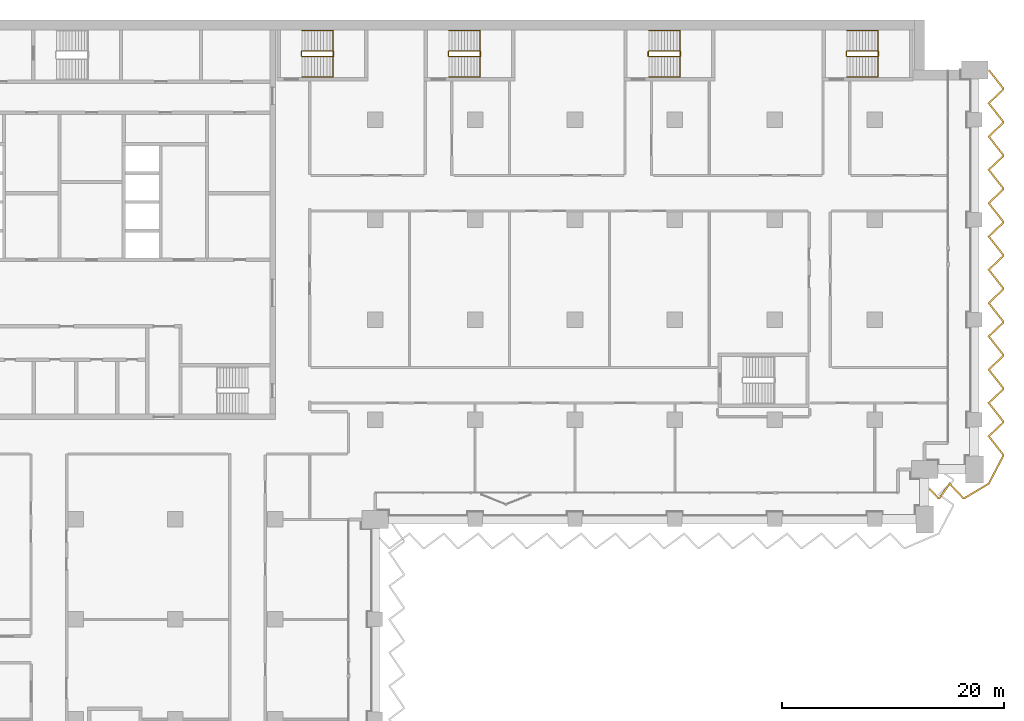
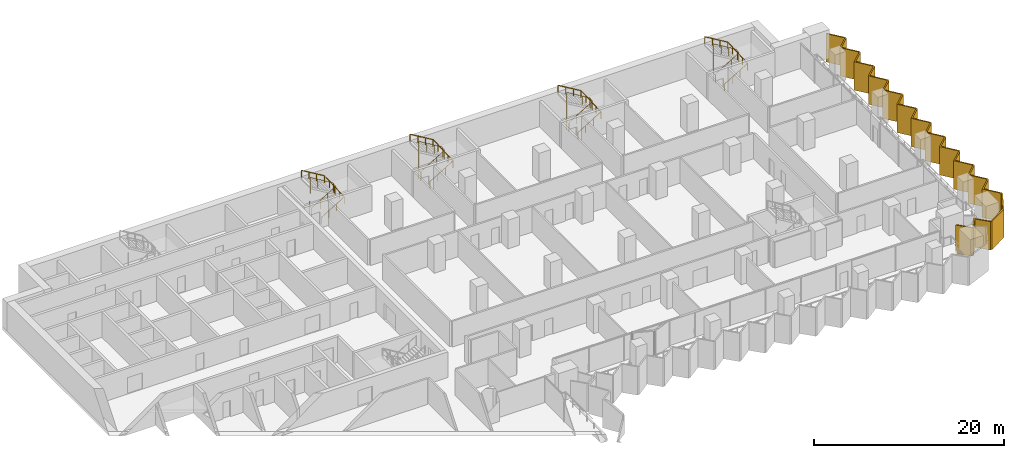
# One storey, part 27 of 28: 8 railings, 1 shading device.
"""IFC4 building model written with IfcOpenShell, lengths in metres."""

from ifc_helpers import new_model, si_unit, direction, frame, origin, origin_2d, place, context, subcontext, project, spatial, polyline, circle, outline, extrude, material, layer, layer_set, type_object, element, save


model = new_model("IFC4")

# Units and contexts
model_context = context("Model", 3, precision=1e-05, world=origin(), true_north=direction((0.0, 1.0)))
body_context = subcontext(model_context, "Body", "Model", "MODEL_VIEW")
ifc_project = project(units=[si_unit("LENGTHUNIT", "METRE"), si_unit("AREAUNIT", "SQUARE_METRE"), si_unit("VOLUMEUNIT", "CUBIC_METRE"), si_unit("PLANEANGLEUNIT", "RADIAN"), si_unit("MASSUNIT", "GRAM", prefix="KILO")], contexts=[model_context])

# Site, building, storey
site_placement = place(None, origin())
site = spatial("IfcSite", under=ifc_project, at=site_placement, CompositionType="ELEMENT")
building_placement = place(site_placement, origin())
building = spatial("IfcBuilding", under=site, at=building_placement, Name="Hunhe Ridgeline Campus", CompositionType="ELEMENT")
storey_placement = place(building_placement, frame((0.0, 0.0, 43.199951171875)))
storey = spatial("IfcBuildingStorey", under=building, at=storey_placement, Name="L09", CompositionType="ELEMENT", Elevation=43.199951171875)

# Shading device
ifc_material_1 = material(Name="Concrete C50", Category="concrete")
ifc_layer = layer(ifc_material_1, 0.14990234375)
ifc_layer_set = layer_set([ifc_layer], Name="Sawtooth concrete fin 150 Concrete C50")
shading_device_type = type_object("IfcShadingDeviceType", Name="Sawtooth concrete fin 150 Concrete C50", PredefinedType="USERDEFINED", material=ifc_layer_set)
shading_device_placement = place(storey_placement, frame((0.0, 0.0, -0.949951171875)))
element("IfcShadingDevice", 1, at=shading_device_placement, inside=storey, type_object=shading_device_type, Name="Concrete fin screen 3", ObjectType="FIN", PredefinedType="USERDEFINED", context=body_context, shape_type="SweptSolid", body=[
    extrude(outline(polyline([(94.554443359375, 57.2763671875), (94.445556640625, 57.173583984375), (95.69384765625, 55.85009765625), (95.88525390625, 55.85009765625), (96.7587890625, 57.1064453125), (97.94384765625, 55.85009765625), (98.11669921875, 55.85009765625), (100.331787109375, 57.17138671875), (101.64990234375, 59.707763671875), (101.64990234375, 59.8720703125), (100.376220703125, 61.492431640625), (101.64990234375, 62.69384765625), (101.64990234375, 62.8720703125), (100.376220703125, 64.492431640625), (101.64990234375, 65.69384765625), (101.64990234375, 65.8720703125), (100.376220703125, 67.492431640625), (101.64990234375, 68.69384765625), (101.64990234375, 68.8720703125), (100.376220703125, 70.492431640625), (101.64990234375, 71.69384765625), (101.64990234375, 71.8720703125), (100.376220703125, 73.492431640625), (101.64990234375, 74.69384765625), (101.64990234375, 74.8720703125), (100.376220703125, 76.492431640625), (101.64990234375, 77.69384765625), (101.64990234375, 77.8720703125), (100.376220703125, 79.492431640625), (101.64990234375, 80.69384765625), (101.64990234375, 80.8720703125), (100.376220703125, 82.492431640625), (101.64990234375, 83.69384765625), (101.64990234375, 83.8720703125), (100.376220703125, 85.492431640625), (101.64990234375, 86.69384765625), (101.64990234375, 86.8720703125), (100.376220703125, 88.492431640625), (101.64990234375, 89.69384765625), (101.64990234375, 89.8720703125), (100.376220703125, 91.492431640625), (101.64990234375, 92.69384765625), (101.64990234375, 92.8720703125), (100.333984375, 94.54638671875), (100.216064453125, 94.45361328125), (101.5, 92.820068359375), (101.5, 92.758544921875), (100.173583984375, 91.507568359375), (101.5, 89.820068359375), (101.5, 89.758544921875), (100.173583984375, 88.507568359375), (101.5, 86.820068359375), (101.5, 86.758544921875), (100.173583984375, 85.507568359375), (101.5, 83.820068359375), (101.5, 83.758544921875), (100.173583984375, 82.507568359375), (101.5, 80.820068359375), (101.5, 80.758544921875), (100.173583984375, 79.507568359375), (101.5, 77.820068359375), (101.5, 77.758544921875), (100.173583984375, 76.507568359375), (101.5, 74.820068359375), (101.5, 74.758544921875), (100.173583984375, 73.507568359375), (101.5, 71.820068359375), (101.5, 71.758544921875), (100.173583984375, 70.507568359375), (101.5, 68.820068359375), (101.5, 68.758544921875), (100.173583984375, 67.507568359375), (101.5, 65.820068359375), (101.5, 65.758544921875), (100.173583984375, 64.507568359375), (101.5, 62.820068359375), (101.5, 62.758544921875), (100.173583984375, 61.507568359375), (101.5, 59.820068359375), (101.5, 59.744384765625), (100.21826171875, 57.278564453125), (98.075439453125, 56.0), (98.008544921875, 56.0), (96.7412109375, 57.34375), (95.806884765625, 56.0), (95.758544921875, 56.0), (94.554443359375, 57.2763671875)])), origin(), (0.0, 0.0, 1.0), 3.64990234375),
])

# Railings
ifc_material_2 = material(Name="Stainless steel balustrade", Category="steel")
railing_type_1 = type_object("IfcRailingType", Name="Stair guard 1100 stainless", PredefinedType="GUARDRAIL", material=ifc_material_2)
railing_1_placement = place(storey_placement, frame((38.39990234375, 95.699951171875, 0.168212890625)))
element("IfcRailing", 2, at=railing_1_placement, inside=storey, type_object=railing_type_1, Name="L09 stair E1 guard", PredefinedType="GUARDRAIL", context=body_context, shape_type="SweptSolid", body=[
    extrude(circle(Radius=0.02392578125, at=origin_2d()), frame((0.0, 0.0, 1.076171875), z_axis=(0.857242210791, 0.0, 0.514913383045), x_axis=(0.0, 1.0, 0.0)), (0.0, 0.0, 1.0), 3.266357421875),
    extrude(circle(Radius=0.02392578125, at=origin_2d()), frame((2.800048828125, 0.0, 2.7578125), z_axis=(0.707106781187, 0.707106781187, 0.0), x_axis=(-0.707106781187, 0.707106781187, 0.0)), (0.0, 0.0, 1.0), 0.07080078125),
    extrude(circle(Radius=0.02392578125, at=origin_2d()), frame((2.85009765625, 0.050048828125, 2.7578125), z_axis=(0.0, 1.0, 0.0), x_axis=(-1.0, 0.0, 0.0)), (0.0, 0.0, 1.0), 0.39990234375),
    extrude(circle(Radius=0.02392578125, at=origin_2d()), frame((2.85009765625, 0.449951171875, 2.7578125), z_axis=(-0.274243871929, 0.274243871929, 0.92172696468), x_axis=(-0.707106781187, -0.707106781187, 0.0)), (0.0, 0.0, 1.0), 0.1826171875),
    extrude(circle(Radius=0.02392578125, at=origin_2d()), frame((2.800048828125, 0.5, 2.92626953125), z_axis=(-0.857275202839, 0.0, 0.514858452973), x_axis=(0.0, -1.0, 0.0)), (0.0, 0.0, 1.0), 3.26611328125),
    extrude(circle(Radius=0.02392578125, at=origin_2d()), frame((0.0, 0.5, 4.60791015625), z_axis=(-0.013458453615, -0.013524426427, -0.999817963389), x_axis=(0.708833529934, -0.705375805398, 0.0)), (0.0, 0.0, 1.0), 3.70068359375),
    extrude(circle(Radius=0.02392578125, at=origin_2d()), frame((-0.0498046875, 0.449951171875, 0.90771484375), z_axis=(0.0, -1.0, 0.0), x_axis=(1.0, 0.0, 0.0)), (0.0, 0.0, 1.0), 0.39990234375),
    extrude(circle(Radius=0.02099609375, at=origin_2d()), origin(), (0.0, 0.0, 1.0), 1.052001953125),
    extrude(circle(Radius=0.02099609375, at=origin_2d()), frame((0.933349609375, 0.0, 0.560546875)), (0.0, 0.0, 1.0), 1.052001953125),
    extrude(circle(Radius=0.02099609375, at=origin_2d()), frame((1.86669921875, 0.0, 1.121337890625)), (0.0, 0.0, 1.0), 1.052001953125),
    extrude(circle(Radius=0.02099609375, at=origin_2d()), frame((2.800048828125, 0.0, 1.681884765625)), (0.0, 0.0, 1.0), 1.052001953125),
    extrude(circle(Radius=0.02099609375, at=origin_2d()), frame((2.85009765625, 0.050048828125, 1.681884765625)), (0.0, 0.0, 1.0), 1.052001953125),
    extrude(circle(Radius=0.02099609375, at=origin_2d()), frame((2.85009765625, 0.449951171875, 1.681884765625)), (0.0, 0.0, 1.0), 1.052001953125),
    extrude(circle(Radius=0.02099609375, at=origin_2d()), frame((2.800048828125, 0.5, 1.85009765625)), (0.0, 0.0, 1.0), 1.052001953125),
    extrude(circle(Radius=0.02099609375, at=origin_2d()), frame((1.86669921875, 0.5, 2.41064453125)), (0.0, 0.0, 1.0), 1.052001953125),
    extrude(circle(Radius=0.02099609375, at=origin_2d()), frame((0.933349609375, 0.5, 2.97119140625)), (0.0, 0.0, 1.0), 1.052001953125),
    extrude(circle(Radius=0.02099609375, at=origin_2d()), frame((0.0, 0.5, 3.53173828125)), (0.0, 0.0, 1.0), 1.052001953125),
    extrude(circle(Radius=0.02099609375, at=origin_2d()), frame((-0.012451171875, 0.487548828125, 2.606689453125)), (0.0, 0.0, 1.0), 1.052001953125),
    extrude(circle(Radius=0.02099609375, at=origin_2d()), frame((-0.02490234375, 0.47509765625, 1.681640625)), (0.0, 0.0, 1.0), 1.052001953125),
    extrude(circle(Radius=0.02099609375, at=origin_2d()), frame((-0.037353515625, 0.46240234375, 0.7568359375)), (0.0, 0.0, 1.0), 1.052001953125),
    extrude(circle(Radius=0.02099609375, at=origin_2d()), frame((-0.0498046875, 0.449951171875, -0.168212890625)), (0.0, 0.0, 1.0), 1.052001953125),
    extrude(circle(Radius=0.02099609375, at=origin_2d()), frame((-0.0498046875, 0.050048828125, -0.168212890625)), (0.0, 0.0, 1.0), 1.052001953125),
])
railing_2_placement = place(storey_placement, frame((51.64990234375, 95.699951171875, 0.168212890625)))
element("IfcRailing", 3, at=railing_2_placement, inside=storey, type_object=railing_type_1, Name="L09 stair E2 guard", PredefinedType="GUARDRAIL", context=body_context, shape_type="SweptSolid", body=[
    extrude(circle(Radius=0.02392578125, at=origin_2d()), frame((0.0, 0.0, 1.076171875), z_axis=(0.857242210791, 0.0, 0.514913383045), x_axis=(0.0, 1.0, 0.0)), (0.0, 0.0, 1.0), 3.266357421875),
    extrude(circle(Radius=0.02392578125, at=origin_2d()), frame((2.800048828125, 0.0, 2.7578125), z_axis=(0.707106781187, 0.707106781187, 0.0), x_axis=(-0.707106781187, 0.707106781187, 0.0)), (0.0, 0.0, 1.0), 0.07080078125),
    extrude(circle(Radius=0.02392578125, at=origin_2d()), frame((2.85009765625, 0.050048828125, 2.7578125), z_axis=(0.0, 1.0, 0.0), x_axis=(-1.0, 0.0, 0.0)), (0.0, 0.0, 1.0), 0.39990234375),
    extrude(circle(Radius=0.02392578125, at=origin_2d()), frame((2.85009765625, 0.449951171875, 2.7578125), z_axis=(-0.274243871929, 0.274243871929, 0.92172696468), x_axis=(-0.707106781187, -0.707106781187, 0.0)), (0.0, 0.0, 1.0), 0.1826171875),
    extrude(circle(Radius=0.02392578125, at=origin_2d()), frame((2.800048828125, 0.5, 2.92626953125), z_axis=(-0.857275202839, 0.0, 0.514858452973), x_axis=(0.0, -1.0, 0.0)), (0.0, 0.0, 1.0), 3.26611328125),
    extrude(circle(Radius=0.02392578125, at=origin_2d()), frame((0.0, 0.5, 4.60791015625), z_axis=(-0.013458453615, -0.013524426427, -0.999817963389), x_axis=(0.708833529934, -0.705375805398, 0.0)), (0.0, 0.0, 1.0), 3.70068359375),
    extrude(circle(Radius=0.02392578125, at=origin_2d()), frame((-0.0498046875, 0.449951171875, 0.90771484375), z_axis=(0.0, -1.0, 0.0), x_axis=(1.0, 0.0, 0.0)), (0.0, 0.0, 1.0), 0.39990234375),
    extrude(circle(Radius=0.02099609375, at=origin_2d()), origin(), (0.0, 0.0, 1.0), 1.052001953125),
    extrude(circle(Radius=0.02099609375, at=origin_2d()), frame((0.933349609375, 0.0, 0.560546875)), (0.0, 0.0, 1.0), 1.052001953125),
    extrude(circle(Radius=0.02099609375, at=origin_2d()), frame((1.86669921875, 0.0, 1.121337890625)), (0.0, 0.0, 1.0), 1.052001953125),
    extrude(circle(Radius=0.02099609375, at=origin_2d()), frame((2.800048828125, 0.0, 1.681884765625)), (0.0, 0.0, 1.0), 1.052001953125),
    extrude(circle(Radius=0.02099609375, at=origin_2d()), frame((2.85009765625, 0.050048828125, 1.681884765625)), (0.0, 0.0, 1.0), 1.052001953125),
    extrude(circle(Radius=0.02099609375, at=origin_2d()), frame((2.85009765625, 0.449951171875, 1.681884765625)), (0.0, 0.0, 1.0), 1.052001953125),
    extrude(circle(Radius=0.02099609375, at=origin_2d()), frame((2.800048828125, 0.5, 1.85009765625)), (0.0, 0.0, 1.0), 1.052001953125),
    extrude(circle(Radius=0.02099609375, at=origin_2d()), frame((1.86669921875, 0.5, 2.41064453125)), (0.0, 0.0, 1.0), 1.052001953125),
    extrude(circle(Radius=0.02099609375, at=origin_2d()), frame((0.933349609375, 0.5, 2.97119140625)), (0.0, 0.0, 1.0), 1.052001953125),
    extrude(circle(Radius=0.02099609375, at=origin_2d()), frame((0.0, 0.5, 3.53173828125)), (0.0, 0.0, 1.0), 1.052001953125),
    extrude(circle(Radius=0.02099609375, at=origin_2d()), frame((-0.012451171875, 0.487548828125, 2.606689453125)), (0.0, 0.0, 1.0), 1.052001953125),
    extrude(circle(Radius=0.02099609375, at=origin_2d()), frame((-0.02490234375, 0.47509765625, 1.681640625)), (0.0, 0.0, 1.0), 1.052001953125),
    extrude(circle(Radius=0.02099609375, at=origin_2d()), frame((-0.037353515625, 0.46240234375, 0.7568359375)), (0.0, 0.0, 1.0), 1.052001953125),
    extrude(circle(Radius=0.02099609375, at=origin_2d()), frame((-0.0498046875, 0.449951171875, -0.168212890625)), (0.0, 0.0, 1.0), 1.052001953125),
    extrude(circle(Radius=0.02099609375, at=origin_2d()), frame((-0.0498046875, 0.050048828125, -0.168212890625)), (0.0, 0.0, 1.0), 1.052001953125),
])
railing_3_placement = place(storey_placement, frame((69.64990234375, 95.699951171875, 0.168212890625)))
element("IfcRailing", 4, at=railing_3_placement, inside=storey, type_object=railing_type_1, Name="L09 stair E3 guard", PredefinedType="GUARDRAIL", context=body_context, shape_type="SweptSolid", body=[
    extrude(circle(Radius=0.02392578125, at=origin_2d()), frame((0.0, 0.0, 1.076171875), z_axis=(0.857242210791, 0.0, 0.514913383045), x_axis=(0.0, 1.0, 0.0)), (0.0, 0.0, 1.0), 3.266357421875),
    extrude(circle(Radius=0.02392578125, at=origin_2d()), frame((2.800048828125, 0.0, 2.7578125), z_axis=(0.707106781187, 0.707106781187, 0.0), x_axis=(-0.707106781187, 0.707106781187, 0.0)), (0.0, 0.0, 1.0), 0.07080078125),
    extrude(circle(Radius=0.02392578125, at=origin_2d()), frame((2.85009765625, 0.050048828125, 2.7578125), z_axis=(0.0, 1.0, 0.0), x_axis=(-1.0, 0.0, 0.0)), (0.0, 0.0, 1.0), 0.39990234375),
    extrude(circle(Radius=0.02392578125, at=origin_2d()), frame((2.85009765625, 0.449951171875, 2.7578125), z_axis=(-0.274243871929, 0.274243871929, 0.92172696468), x_axis=(-0.707106781187, -0.707106781187, 0.0)), (0.0, 0.0, 1.0), 0.1826171875),
    extrude(circle(Radius=0.02392578125, at=origin_2d()), frame((2.800048828125, 0.5, 2.92626953125), z_axis=(-0.857275202839, 0.0, 0.514858452973), x_axis=(0.0, -1.0, 0.0)), (0.0, 0.0, 1.0), 3.26611328125),
    extrude(circle(Radius=0.02392578125, at=origin_2d()), frame((0.0, 0.5, 4.60791015625), z_axis=(-0.013458453615, -0.013524426427, -0.999817963389), x_axis=(0.708833529934, -0.705375805398, 0.0)), (0.0, 0.0, 1.0), 3.70068359375),
    extrude(circle(Radius=0.02392578125, at=origin_2d()), frame((-0.0498046875, 0.449951171875, 0.90771484375), z_axis=(0.0, -1.0, 0.0), x_axis=(1.0, 0.0, 0.0)), (0.0, 0.0, 1.0), 0.39990234375),
    extrude(circle(Radius=0.02099609375, at=origin_2d()), origin(), (0.0, 0.0, 1.0), 1.052001953125),
    extrude(circle(Radius=0.02099609375, at=origin_2d()), frame((0.933349609375, 0.0, 0.560546875)), (0.0, 0.0, 1.0), 1.052001953125),
    extrude(circle(Radius=0.02099609375, at=origin_2d()), frame((1.86669921875, 0.0, 1.121337890625)), (0.0, 0.0, 1.0), 1.052001953125),
    extrude(circle(Radius=0.02099609375, at=origin_2d()), frame((2.800048828125, 0.0, 1.681884765625)), (0.0, 0.0, 1.0), 1.052001953125),
    extrude(circle(Radius=0.02099609375, at=origin_2d()), frame((2.85009765625, 0.050048828125, 1.681884765625)), (0.0, 0.0, 1.0), 1.052001953125),
    extrude(circle(Radius=0.02099609375, at=origin_2d()), frame((2.85009765625, 0.449951171875, 1.681884765625)), (0.0, 0.0, 1.0), 1.052001953125),
    extrude(circle(Radius=0.02099609375, at=origin_2d()), frame((2.800048828125, 0.5, 1.85009765625)), (0.0, 0.0, 1.0), 1.052001953125),
    extrude(circle(Radius=0.02099609375, at=origin_2d()), frame((1.86669921875, 0.5, 2.41064453125)), (0.0, 0.0, 1.0), 1.052001953125),
    extrude(circle(Radius=0.02099609375, at=origin_2d()), frame((0.933349609375, 0.5, 2.97119140625)), (0.0, 0.0, 1.0), 1.052001953125),
    extrude(circle(Radius=0.02099609375, at=origin_2d()), frame((0.0, 0.5, 3.53173828125)), (0.0, 0.0, 1.0), 1.052001953125),
    extrude(circle(Radius=0.02099609375, at=origin_2d()), frame((-0.012451171875, 0.487548828125, 2.606689453125)), (0.0, 0.0, 1.0), 1.052001953125),
    extrude(circle(Radius=0.02099609375, at=origin_2d()), frame((-0.02490234375, 0.47509765625, 1.681640625)), (0.0, 0.0, 1.0), 1.052001953125),
    extrude(circle(Radius=0.02099609375, at=origin_2d()), frame((-0.037353515625, 0.46240234375, 0.7568359375)), (0.0, 0.0, 1.0), 1.052001953125),
    extrude(circle(Radius=0.02099609375, at=origin_2d()), frame((-0.0498046875, 0.449951171875, -0.168212890625)), (0.0, 0.0, 1.0), 1.052001953125),
    extrude(circle(Radius=0.02099609375, at=origin_2d()), frame((-0.0498046875, 0.050048828125, -0.168212890625)), (0.0, 0.0, 1.0), 1.052001953125),
])
railing_4_placement = place(storey_placement, frame((87.5, 95.699951171875, 0.168212890625)))
element("IfcRailing", 5, at=railing_4_placement, inside=storey, type_object=railing_type_1, Name="L09 stair E4 guard", PredefinedType="GUARDRAIL", context=body_context, shape_type="SweptSolid", body=[
    extrude(circle(Radius=0.02392578125, at=origin_2d()), frame((0.0, 0.0, 1.076171875), z_axis=(0.857242210791, 0.0, 0.514913383045), x_axis=(0.0, 1.0, 0.0)), (0.0, 0.0, 1.0), 3.266357421875),
    extrude(circle(Radius=0.02392578125, at=origin_2d()), frame((2.800048828125, 0.0, 2.7578125), z_axis=(0.707106781187, 0.707106781187, 0.0), x_axis=(-0.707106781187, 0.707106781187, 0.0)), (0.0, 0.0, 1.0), 0.07080078125),
    extrude(circle(Radius=0.02392578125, at=origin_2d()), frame((2.85009765625, 0.050048828125, 2.7578125), z_axis=(0.0, 1.0, 0.0), x_axis=(-1.0, 0.0, 0.0)), (0.0, 0.0, 1.0), 0.39990234375),
    extrude(circle(Radius=0.02392578125, at=origin_2d()), frame((2.85009765625, 0.449951171875, 2.7578125), z_axis=(-0.274243871929, 0.274243871929, 0.92172696468), x_axis=(-0.707106781187, -0.707106781187, 0.0)), (0.0, 0.0, 1.0), 0.1826171875),
    extrude(circle(Radius=0.02392578125, at=origin_2d()), frame((2.800048828125, 0.5, 2.92626953125), z_axis=(-0.857275202839, 0.0, 0.514858452973), x_axis=(0.0, -1.0, 0.0)), (0.0, 0.0, 1.0), 3.26611328125),
    extrude(circle(Radius=0.02392578125, at=origin_2d()), frame((0.0, 0.5, 4.60791015625), z_axis=(-0.013524414389, -0.013524414389, -0.999817073484), x_axis=(0.707106781187, -0.707106781187, 0.0)), (0.0, 0.0, 1.0), 3.70068359375),
    extrude(circle(Radius=0.02392578125, at=origin_2d()), frame((-0.050048828125, 0.449951171875, 0.90771484375), z_axis=(0.0, -1.0, 0.0), x_axis=(1.0, 0.0, 0.0)), (0.0, 0.0, 1.0), 0.39990234375),
    extrude(circle(Radius=0.02099609375, at=origin_2d()), origin(), (0.0, 0.0, 1.0), 1.052001953125),
    extrude(circle(Radius=0.02099609375, at=origin_2d()), frame((0.933349609375, 0.0, 0.560546875)), (0.0, 0.0, 1.0), 1.052001953125),
    extrude(circle(Radius=0.02099609375, at=origin_2d()), frame((1.86669921875, 0.0, 1.121337890625)), (0.0, 0.0, 1.0), 1.052001953125),
    extrude(circle(Radius=0.02099609375, at=origin_2d()), frame((2.800048828125, 0.0, 1.681884765625)), (0.0, 0.0, 1.0), 1.052001953125),
    extrude(circle(Radius=0.02099609375, at=origin_2d()), frame((2.85009765625, 0.050048828125, 1.681884765625)), (0.0, 0.0, 1.0), 1.052001953125),
    extrude(circle(Radius=0.02099609375, at=origin_2d()), frame((2.85009765625, 0.449951171875, 1.681884765625)), (0.0, 0.0, 1.0), 1.052001953125),
    extrude(circle(Radius=0.02099609375, at=origin_2d()), frame((2.800048828125, 0.5, 1.85009765625)), (0.0, 0.0, 1.0), 1.052001953125),
    extrude(circle(Radius=0.02099609375, at=origin_2d()), frame((1.86669921875, 0.5, 2.41064453125)), (0.0, 0.0, 1.0), 1.052001953125),
    extrude(circle(Radius=0.02099609375, at=origin_2d()), frame((0.933349609375, 0.5, 2.97119140625)), (0.0, 0.0, 1.0), 1.052001953125),
    extrude(circle(Radius=0.02099609375, at=origin_2d()), frame((0.0, 0.5, 3.53173828125)), (0.0, 0.0, 1.0), 1.052001953125),
    extrude(circle(Radius=0.02099609375, at=origin_2d()), frame((-0.012451171875, 0.487548828125, 2.606689453125)), (0.0, 0.0, 1.0), 1.052001953125),
    extrude(circle(Radius=0.02099609375, at=origin_2d()), frame((-0.02490234375, 0.47509765625, 1.681640625)), (0.0, 0.0, 1.0), 1.052001953125),
    extrude(circle(Radius=0.02099609375, at=origin_2d()), frame((-0.03759765625, 0.46240234375, 0.7568359375)), (0.0, 0.0, 1.0), 1.052001953125),
    extrude(circle(Radius=0.02099609375, at=origin_2d()), frame((-0.050048828125, 0.449951171875, -0.168212890625)), (0.0, 0.0, 1.0), 1.052001953125),
    extrude(circle(Radius=0.02099609375, at=origin_2d()), frame((-0.050048828125, 0.050048828125, -0.168212890625)), (0.0, 0.0, 1.0), 1.052001953125),
])
ifc_material_3 = material(Name="Stainless steel handrail", Category="steel")
railing_type_2 = type_object("IfcRailingType", Name="Stair handrail 900 stainless", PredefinedType="HANDRAIL", material=ifc_material_3)
railing_5_placement = place(storey_placement, frame((38.39990234375, 93.85009765625, 0.168212890625)))
element("IfcRailing", 6, at=railing_5_placement, inside=storey, type_object=railing_type_2, Name="L09 stair E1 handrail", PredefinedType="HANDRAIL", context=body_context, shape_type="SweptSolid", body=[
    extrude(circle(Radius=0.02392578125, at=origin_2d()), frame((0.0, 0.0, 0.8759765625), z_axis=(0.857242210791, 0.0, 0.514913383045), x_axis=(0.0, 1.0, 0.0)), (0.0, 0.0, 1.0), 3.266357421875),
    extrude(circle(Radius=0.02392578125, at=origin_2d()), frame((2.800048828125, 0.0, 2.5576171875), z_axis=(0.0, 0.999198916169, 0.040019069537), x_axis=(-1.0, 0.0, 0.0)), (0.0, 0.0, 1.0), 4.203369140625),
    extrude(circle(Radius=0.02392578125, at=origin_2d()), frame((2.800048828125, 4.199951171875, 2.72607421875), z_axis=(-0.857275202839, 0.0, 0.514858452973), x_axis=(0.0, -1.0, 0.0)), (0.0, 0.0, 1.0), 3.26611328125),
    extrude(circle(Radius=0.02099609375, at=origin_2d()), origin(), (0.0, 0.0, 1.0), 0.851806640625),
    extrude(circle(Radius=0.02099609375, at=origin_2d()), frame((0.933349609375, 0.0, 0.560546875)), (0.0, 0.0, 1.0), 0.851806640625),
    extrude(circle(Radius=0.02099609375, at=origin_2d()), frame((1.86669921875, 0.0, 1.121337890625)), (0.0, 0.0, 1.0), 0.851806640625),
    extrude(circle(Radius=0.02099609375, at=origin_2d()), frame((2.800048828125, 0.0, 1.681884765625)), (0.0, 0.0, 1.0), 0.851806640625),
    extrude(circle(Radius=0.02099609375, at=origin_2d()), frame((2.800048828125, 1.050048828125, 1.723876953125)), (0.0, 0.0, 1.0), 0.851806640625),
    extrude(circle(Radius=0.02099609375, at=origin_2d()), frame((2.800048828125, 2.10009765625, 1.76611328125)), (0.0, 0.0, 1.0), 0.851806640625),
    extrude(circle(Radius=0.02099609375, at=origin_2d()), frame((2.800048828125, 3.14990234375, 1.80810546875)), (0.0, 0.0, 1.0), 0.851806640625),
    extrude(circle(Radius=0.02099609375, at=origin_2d()), frame((2.800048828125, 4.199951171875, 1.85009765625)), (0.0, 0.0, 1.0), 0.851806640625),
    extrude(circle(Radius=0.02099609375, at=origin_2d()), frame((1.86669921875, 4.199951171875, 2.41064453125)), (0.0, 0.0, 1.0), 0.851806640625),
    extrude(circle(Radius=0.02099609375, at=origin_2d()), frame((0.933349609375, 4.199951171875, 2.97119140625)), (0.0, 0.0, 1.0), 0.851806640625),
    extrude(circle(Radius=0.02099609375, at=origin_2d()), frame((0.0, 4.199951171875, 3.53173828125)), (0.0, 0.0, 1.0), 0.851806640625),
])
railing_6_placement = place(storey_placement, frame((51.64990234375, 93.85009765625, 0.168212890625)))
element("IfcRailing", 7, at=railing_6_placement, inside=storey, type_object=railing_type_2, Name="L09 stair E2 handrail", PredefinedType="HANDRAIL", context=body_context, shape_type="SweptSolid", body=[
    extrude(circle(Radius=0.02392578125, at=origin_2d()), frame((0.0, 0.0, 0.8759765625), z_axis=(0.857242210791, 0.0, 0.514913383045), x_axis=(0.0, 1.0, 0.0)), (0.0, 0.0, 1.0), 3.266357421875),
    extrude(circle(Radius=0.02392578125, at=origin_2d()), frame((2.800048828125, 0.0, 2.5576171875), z_axis=(0.0, 0.999198916169, 0.040019069537), x_axis=(-1.0, 0.0, 0.0)), (0.0, 0.0, 1.0), 4.203369140625),
    extrude(circle(Radius=0.02392578125, at=origin_2d()), frame((2.800048828125, 4.199951171875, 2.72607421875), z_axis=(-0.857275202839, 0.0, 0.514858452973), x_axis=(0.0, -1.0, 0.0)), (0.0, 0.0, 1.0), 3.26611328125),
    extrude(circle(Radius=0.02099609375, at=origin_2d()), origin(), (0.0, 0.0, 1.0), 0.851806640625),
    extrude(circle(Radius=0.02099609375, at=origin_2d()), frame((0.933349609375, 0.0, 0.560546875)), (0.0, 0.0, 1.0), 0.851806640625),
    extrude(circle(Radius=0.02099609375, at=origin_2d()), frame((1.86669921875, 0.0, 1.121337890625)), (0.0, 0.0, 1.0), 0.851806640625),
    extrude(circle(Radius=0.02099609375, at=origin_2d()), frame((2.800048828125, 0.0, 1.681884765625)), (0.0, 0.0, 1.0), 0.851806640625),
    extrude(circle(Radius=0.02099609375, at=origin_2d()), frame((2.800048828125, 1.050048828125, 1.723876953125)), (0.0, 0.0, 1.0), 0.851806640625),
    extrude(circle(Radius=0.02099609375, at=origin_2d()), frame((2.800048828125, 2.10009765625, 1.76611328125)), (0.0, 0.0, 1.0), 0.851806640625),
    extrude(circle(Radius=0.02099609375, at=origin_2d()), frame((2.800048828125, 3.14990234375, 1.80810546875)), (0.0, 0.0, 1.0), 0.851806640625),
    extrude(circle(Radius=0.02099609375, at=origin_2d()), frame((2.800048828125, 4.199951171875, 1.85009765625)), (0.0, 0.0, 1.0), 0.851806640625),
    extrude(circle(Radius=0.02099609375, at=origin_2d()), frame((1.86669921875, 4.199951171875, 2.41064453125)), (0.0, 0.0, 1.0), 0.851806640625),
    extrude(circle(Radius=0.02099609375, at=origin_2d()), frame((0.933349609375, 4.199951171875, 2.97119140625)), (0.0, 0.0, 1.0), 0.851806640625),
    extrude(circle(Radius=0.02099609375, at=origin_2d()), frame((0.0, 4.199951171875, 3.53173828125)), (0.0, 0.0, 1.0), 0.851806640625),
])
railing_7_placement = place(storey_placement, frame((69.64990234375, 93.85009765625, 0.168212890625)))
element("IfcRailing", 8, at=railing_7_placement, inside=storey, type_object=railing_type_2, Name="L09 stair E3 handrail", PredefinedType="HANDRAIL", context=body_context, shape_type="SweptSolid", body=[
    extrude(circle(Radius=0.02392578125, at=origin_2d()), frame((0.0, 0.0, 0.8759765625), z_axis=(0.857242210791, 0.0, 0.514913383045), x_axis=(0.0, 1.0, 0.0)), (0.0, 0.0, 1.0), 3.266357421875),
    extrude(circle(Radius=0.02392578125, at=origin_2d()), frame((2.800048828125, 0.0, 2.5576171875), z_axis=(0.0, 0.999198916169, 0.040019069537), x_axis=(-1.0, 0.0, 0.0)), (0.0, 0.0, 1.0), 4.203369140625),
    extrude(circle(Radius=0.02392578125, at=origin_2d()), frame((2.800048828125, 4.199951171875, 2.72607421875), z_axis=(-0.857275202839, 0.0, 0.514858452973), x_axis=(0.0, -1.0, 0.0)), (0.0, 0.0, 1.0), 3.26611328125),
    extrude(circle(Radius=0.02099609375, at=origin_2d()), origin(), (0.0, 0.0, 1.0), 0.851806640625),
    extrude(circle(Radius=0.02099609375, at=origin_2d()), frame((0.933349609375, 0.0, 0.560546875)), (0.0, 0.0, 1.0), 0.851806640625),
    extrude(circle(Radius=0.02099609375, at=origin_2d()), frame((1.86669921875, 0.0, 1.121337890625)), (0.0, 0.0, 1.0), 0.851806640625),
    extrude(circle(Radius=0.02099609375, at=origin_2d()), frame((2.800048828125, 0.0, 1.681884765625)), (0.0, 0.0, 1.0), 0.851806640625),
    extrude(circle(Radius=0.02099609375, at=origin_2d()), frame((2.800048828125, 1.050048828125, 1.723876953125)), (0.0, 0.0, 1.0), 0.851806640625),
    extrude(circle(Radius=0.02099609375, at=origin_2d()), frame((2.800048828125, 2.10009765625, 1.76611328125)), (0.0, 0.0, 1.0), 0.851806640625),
    extrude(circle(Radius=0.02099609375, at=origin_2d()), frame((2.800048828125, 3.14990234375, 1.80810546875)), (0.0, 0.0, 1.0), 0.851806640625),
    extrude(circle(Radius=0.02099609375, at=origin_2d()), frame((2.800048828125, 4.199951171875, 1.85009765625)), (0.0, 0.0, 1.0), 0.851806640625),
    extrude(circle(Radius=0.02099609375, at=origin_2d()), frame((1.86669921875, 4.199951171875, 2.41064453125)), (0.0, 0.0, 1.0), 0.851806640625),
    extrude(circle(Radius=0.02099609375, at=origin_2d()), frame((0.933349609375, 4.199951171875, 2.97119140625)), (0.0, 0.0, 1.0), 0.851806640625),
    extrude(circle(Radius=0.02099609375, at=origin_2d()), frame((0.0, 4.199951171875, 3.53173828125)), (0.0, 0.0, 1.0), 0.851806640625),
])
railing_8_placement = place(storey_placement, frame((87.5, 93.85009765625, 0.168212890625)))
element("IfcRailing", 9, at=railing_8_placement, inside=storey, type_object=railing_type_2, Name="L09 stair E4 handrail", PredefinedType="HANDRAIL", context=body_context, shape_type="SweptSolid", body=[
    extrude(circle(Radius=0.02392578125, at=origin_2d()), frame((0.0, 0.0, 0.8759765625), z_axis=(0.857242210791, 0.0, 0.514913383045), x_axis=(0.0, 1.0, 0.0)), (0.0, 0.0, 1.0), 3.266357421875),
    extrude(circle(Radius=0.02392578125, at=origin_2d()), frame((2.800048828125, 0.0, 2.5576171875), z_axis=(0.0, 0.999198916169, 0.040019069537), x_axis=(-1.0, 0.0, 0.0)), (0.0, 0.0, 1.0), 4.203369140625),
    extrude(circle(Radius=0.02392578125, at=origin_2d()), frame((2.800048828125, 4.199951171875, 2.72607421875), z_axis=(-0.857275202839, 0.0, 0.514858452973), x_axis=(0.0, -1.0, 0.0)), (0.0, 0.0, 1.0), 3.26611328125),
    extrude(circle(Radius=0.02099609375, at=origin_2d()), origin(), (0.0, 0.0, 1.0), 0.851806640625),
    extrude(circle(Radius=0.02099609375, at=origin_2d()), frame((0.933349609375, 0.0, 0.560546875)), (0.0, 0.0, 1.0), 0.851806640625),
    extrude(circle(Radius=0.02099609375, at=origin_2d()), frame((1.86669921875, 0.0, 1.121337890625)), (0.0, 0.0, 1.0), 0.851806640625),
    extrude(circle(Radius=0.02099609375, at=origin_2d()), frame((2.800048828125, 0.0, 1.681884765625)), (0.0, 0.0, 1.0), 0.851806640625),
    extrude(circle(Radius=0.02099609375, at=origin_2d()), frame((2.800048828125, 1.050048828125, 1.723876953125)), (0.0, 0.0, 1.0), 0.851806640625),
    extrude(circle(Radius=0.02099609375, at=origin_2d()), frame((2.800048828125, 2.10009765625, 1.76611328125)), (0.0, 0.0, 1.0), 0.851806640625),
    extrude(circle(Radius=0.02099609375, at=origin_2d()), frame((2.800048828125, 3.14990234375, 1.80810546875)), (0.0, 0.0, 1.0), 0.851806640625),
    extrude(circle(Radius=0.02099609375, at=origin_2d()), frame((2.800048828125, 4.199951171875, 1.85009765625)), (0.0, 0.0, 1.0), 0.851806640625),
    extrude(circle(Radius=0.02099609375, at=origin_2d()), frame((1.86669921875, 4.199951171875, 2.41064453125)), (0.0, 0.0, 1.0), 0.851806640625),
    extrude(circle(Radius=0.02099609375, at=origin_2d()), frame((0.933349609375, 4.199951171875, 2.97119140625)), (0.0, 0.0, 1.0), 0.851806640625),
    extrude(circle(Radius=0.02099609375, at=origin_2d()), frame((0.0, 4.199951171875, 3.53173828125)), (0.0, 0.0, 1.0), 0.851806640625),
])

save(model, "model.ifc")
